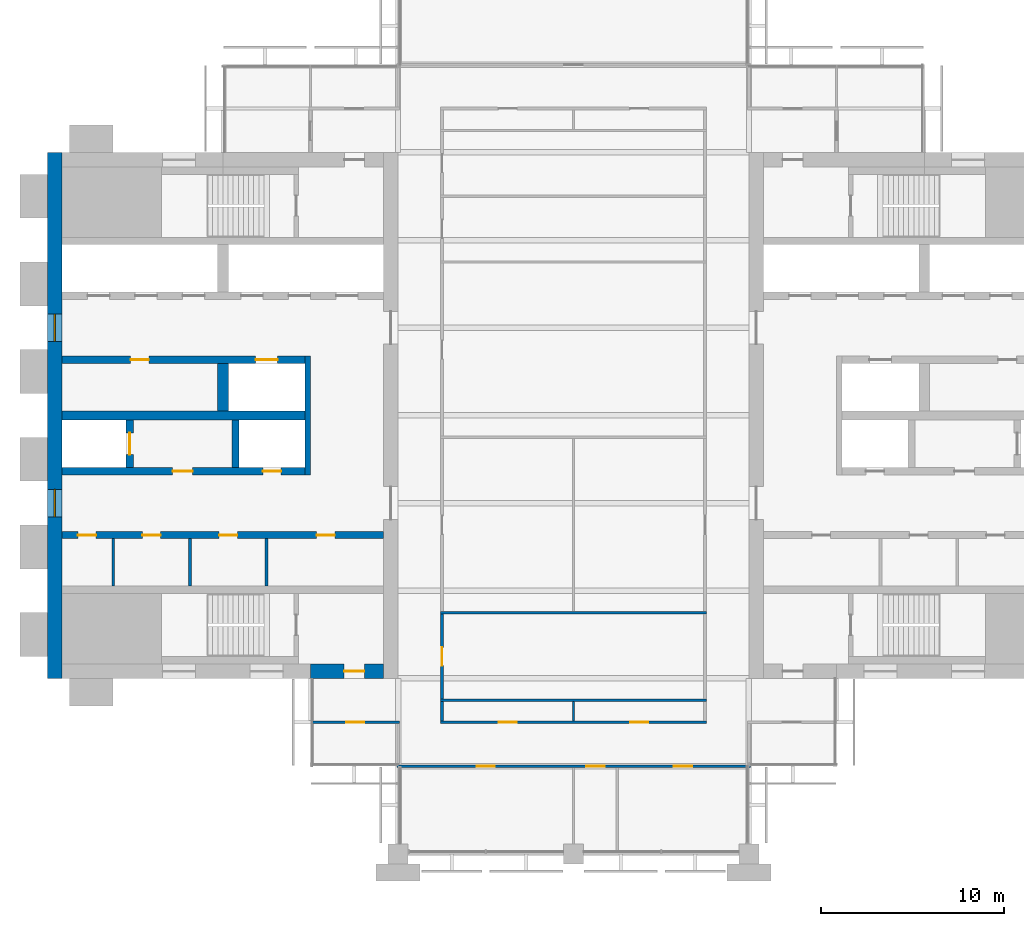
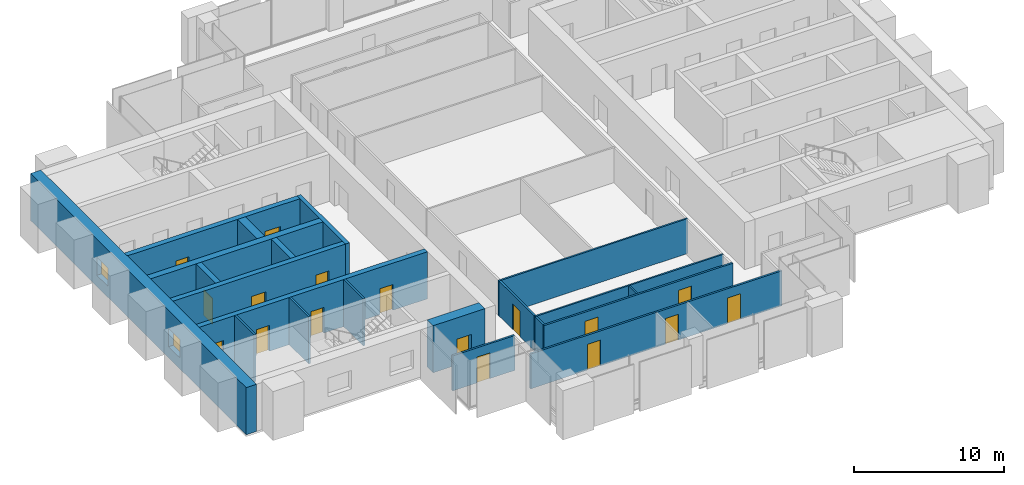
# One storey, part 8 of 13: 21 walls, 17 doors, 2 windows, 19 openings.
"""IFC4 building model written with IfcOpenShell, lengths in metres."""

from ifc_helpers import new_model, si_unit, direction, frame, frame_2d, origin, place, context, subcontext, project, spatial, rectangle, extrude, material, layer, layer_set, type_object, element, fill, save


model = new_model("IFC4")

# Units and contexts
model_context = context("Model", 3, precision=1e-05, world=origin(), true_north=direction((0.0, 1.0)))
body_context = subcontext(model_context, "Body", "Model", "MODEL_VIEW")
ifc_project = project(units=[si_unit("LENGTHUNIT", "METRE"), si_unit("AREAUNIT", "SQUARE_METRE"), si_unit("VOLUMEUNIT", "CUBIC_METRE"), si_unit("PLANEANGLEUNIT", "RADIAN"), si_unit("MASSUNIT", "GRAM", prefix="KILO")], contexts=[model_context])

# Site, building, storey
site_placement = place(None, origin())
site = spatial("IfcSite", under=ifc_project, at=site_placement, CompositionType="ELEMENT")
building_placement = place(site_placement, origin())
building = spatial("IfcBuilding", under=site, at=building_placement, Name="Baori Bourse Tower", CompositionType="ELEMENT")
storey_placement = place(building_placement, frame((0.0, 0.0, 241.199951171875)))
storey = spatial("IfcBuildingStorey", under=building, at=storey_placement, Name="L53", CompositionType="ELEMENT", Elevation=241.199951171875)

# Walls
ifc_material_1 = material(Name="Blockwork partition", Category="masonry")
ifc_layer_1 = layer(ifc_material_1, 0.14990234375)
ifc_layer_set_1 = layer_set([ifc_layer_1], Name="Core partition 150")
wall_type_1 = type_object("IfcWallType", Name="Core partition 150", PredefinedType="PARTITIONING", material=ifc_layer_set_1)
for number, where, z_axis, x_axis, name in (
    (1, (3.60009765625, 14.64990234375, 0.0), (0.0, 0.0, 1.0), (0.0, 1.0, 0.0), "Partition wall W09"),
    (2, (7.800048828125, 14.64990234375, 0.0), (0.0, 0.0, 1.0), (0.0, 1.0, 0.0), "Partition wall W10"),
    (3, (12.0, 14.64990234375, 0.0), (0.0, 0.0, 1.0), (0.0, 1.0, 0.0), "Partition wall W11"),
):
    element("IfcWall", number, at=place(storey_placement, frame(where, z_axis=z_axis, x_axis=x_axis)), inside=storey, type_object=wall_type_1, Name=name, PredefinedType="PARTITIONING", context=body_context, shape_type="SweptSolid", body=[
        extrude(rectangle(XDim=2.60009765625, YDim=0.14990234375, at=frame_2d((1.300048828125, 0.0))), origin(), (0.0, 0.0, 1.0), 3.840087890625),
    ])

# Wall, openings, windows
ifc_material_2 = material(Name="Concrete f'c 50 MPa", Category="concrete")
ifc_layer_2 = layer(ifc_material_2, 0.800048828125)
ifc_layer_set_2 = layer_set([ifc_layer_2], Name="Core wall 800 f'c 50")
wall_type_2 = type_object("IfcWallType", Name="Core wall 800 f'c 50", PredefinedType="SHEAR", material=ifc_layer_set_2)
wall_1_placement = place(storey_placement, frame((0.39990234375, 9.60009765625, 0.0), z_axis=(0.0, 0.0, 1.0), x_axis=(0.0, 1.0, 0.0)))
wall_1 = element("IfcWall", 4, at=wall_1_placement, inside=storey, type_object=wall_type_2, Name="Core wall W01", PredefinedType="SHEAR", context=body_context, shape_type="SweptSolid", body=[
    extrude(rectangle(XDim=28.7998046875, YDim=0.800048828125, at=frame_2d((14.39990234375, 0.0))), origin(), (0.0, 0.0, 1.0), 3.840087890625),
])
opening_1_placement = place(wall_1_placement, frame((8.85009765625, 0.0, 0.89990234375)))
opening_1 = element("IfcOpeningElement", 5, at=opening_1_placement, cuts=wall_1, Name="Opening L53-KW101", PredefinedType="OPENING", context=body_context, shape_type="SweptSolid", body=[
    extrude(rectangle(XDim=1.5, YDim=1.5, at=frame_2d((0.75, 0.75))), frame((0.0, 0.409912109375, 0.0), z_axis=(0.0, -1.0, 0.0), x_axis=(1.0, 0.0, 0.0)), (0.0, 0.0, 1.0), 0.820068359375),
])
opening_2_placement = place(wall_1_placement, frame((18.449951171875, 0.0, 0.89990234375)))
opening_2 = element("IfcOpeningElement", 6, at=opening_2_placement, cuts=wall_1, Name="Opening L53-KW102", PredefinedType="OPENING", context=body_context, shape_type="SweptSolid", body=[
    extrude(rectangle(XDim=1.5, YDim=1.5, at=frame_2d((0.75, 0.75))), frame((0.0, 0.409912109375, 0.0), z_axis=(0.0, -1.0, 0.0), x_axis=(1.0, 0.0, 0.0)), (0.0, 0.0, 1.0), 0.820068359375),
])
ifc_material_3 = material(Name="Pale anodised aluminium", Category="aluminium")
window_type = type_object("IfcWindowType", Name="Lobby window 1500 x 1500", PartitioningType="SINGLE_PANEL", PredefinedType="WINDOW", material=ifc_material_3)
window_1_placement = place(opening_1_placement, origin())
window_1 = element("IfcWindow", 7, at=window_1_placement, inside=storey, type_object=window_type, Name="Outer wall window W L53 1", OverallHeight=1.5, OverallWidth=1.5, PartitioningType="SINGLE_PANEL", PredefinedType="WINDOW", context=body_context, shape_type="SweptSolid", body=[
    extrude(rectangle(XDim=1.5, YDim=1.5, at=frame_2d((0.75, 0.75))), frame((0.0, 0.030029296875, 0.0), z_axis=(0.0, -1.0, 0.0), x_axis=(1.0, 0.0, 0.0)), (0.0, 0.0, 1.0), 0.06005859375),
])
fill(opening_1, window_1)
window_2_placement = place(opening_2_placement, origin())
window_2 = element("IfcWindow", 8, at=window_2_placement, inside=storey, type_object=window_type, Name="Outer wall window W L53 2", OverallHeight=1.5, OverallWidth=1.5, PartitioningType="SINGLE_PANEL", PredefinedType="WINDOW", context=body_context, shape_type="SweptSolid", body=[
    extrude(rectangle(XDim=1.5, YDim=1.5, at=frame_2d((0.75, 0.75))), frame((0.0, 0.030029296875, 0.0), z_axis=(0.0, -1.0, 0.0), x_axis=(1.0, 0.0, 0.0)), (0.0, 0.0, 1.0), 0.06005859375),
])
fill(opening_2, window_2)

# Wall, opening, door
wall_2_placement = place(storey_placement, frame((18.39990234375, 10.0, 0.0), z_axis=(0.0, 0.0, 1.0), x_axis=(-1.0, 0.0, 0.0)))
wall_2 = element("IfcWall", 9, at=wall_2_placement, inside=storey, type_object=wall_type_2, Name="Core wall W03", PredefinedType="SHEAR", context=body_context, shape_type="SweptSolid", body=[
    extrude(rectangle(XDim=4.0, YDim=0.800048828125, at=frame_2d((2.0, 0.0))), origin(), (0.0, 0.0, 1.0), 3.840087890625),
])
opening_3_placement = place(wall_2_placement, frame((1.050048828125, 0.0, 0.0)))
opening_3 = element("IfcOpeningElement", 10, at=opening_3_placement, cuts=wall_2, Name="Opening L53-D102", PredefinedType="OPENING", context=body_context, shape_type="SweptSolid", body=[
    extrude(rectangle(XDim=1.10009765625, YDim=2.10009765625, at=frame_2d((0.550048828125, 1.050048828125))), frame((0.0, 0.409912109375, 0.0), z_axis=(0.0, -1.0, 0.0), x_axis=(1.0, 0.0, 0.0)), (0.0, 0.0, 1.0), 0.820068359375),
])
ifc_material_4 = material(Name="Painted steel door", Category="steel")
door_type_1 = type_object("IfcDoorType", Name="Stair door 1100", OperationType="SINGLE_SWING_LEFT", PredefinedType="DOOR", material=ifc_material_4)
door_1_placement = place(opening_3_placement, origin())
door_1 = element("IfcDoor", 11, at=door_1_placement, inside=storey, type_object=door_type_1, Name="Stair vestibule door A W L53", OperationType="SINGLE_SWING_LEFT", OverallHeight=2.10009765625, OverallWidth=1.10009765625, PredefinedType="DOOR", context=body_context, shape_type="SweptSolid", body=[
    extrude(rectangle(XDim=1.10009765625, YDim=2.10009765625, at=frame_2d((0.550048828125, 1.050048828125))), frame((0.0, 0.02490234375, 0.0), z_axis=(0.0, -1.0, 0.0), x_axis=(1.0, 0.0, 0.0)), (0.0, 0.0, 1.0), 0.050048828125),
])
fill(opening_3, door_1)

# Wall, openings, doors
ifc_material_5 = material(Name="Gypsum board partition")
ifc_layer_3 = layer(ifc_material_5, 0.14990234375)
ifc_layer_set_3 = layer_set([ifc_layer_3], Name="Corridor partition 150")
wall_type_3 = type_object("IfcWallType", Name="Corridor partition 150", PredefinedType="PARTITIONING", material=ifc_layer_set_3)
wall_3_placement = place(storey_placement, frame((19.125, 4.800048828125, 0.0), z_axis=(0.0, 0.0, 1.0), x_axis=(1.0, 0.0, 0.0)))
wall_3 = element("IfcWall", 12, at=wall_3_placement, inside=storey, type_object=wall_type_3, Name="Partition", PredefinedType="PARTITIONING", context=body_context, shape_type="SweptSolid", body=[
    extrude(rectangle(XDim=19.35009765625, YDim=0.14990234375, at=frame_2d((9.675048828125, 0.0))), origin(), (0.0, 0.0, 1.0), 2.849365234375),
])
opening_4_placement = place(wall_3_placement, frame((4.375, 0.0, 0.0)))
opening_4 = element("IfcOpeningElement", 13, at=opening_4_placement, cuts=wall_3, Name="Opening L53-D01", PredefinedType="OPENING", context=body_context, shape_type="SweptSolid", body=[
    extrude(rectangle(XDim=1.0, YDim=2.10009765625, at=frame_2d((0.5, 1.050048828125))), frame((0.0, 0.0849609375, 0.0), z_axis=(0.0, -1.0, 0.0), x_axis=(1.0, 0.0, 0.0)), (0.0, 0.0, 1.0), 0.169921875),
])
opening_5_placement = place(wall_3_placement, frame((10.375, 0.0, 0.0)))
opening_5 = element("IfcOpeningElement", 14, at=opening_5_placement, cuts=wall_3, Name="Opening L53-D02", PredefinedType="OPENING", context=body_context, shape_type="SweptSolid", body=[
    extrude(rectangle(XDim=1.0, YDim=2.10009765625, at=frame_2d((0.5, 1.050048828125))), frame((0.0, 0.0849609375, 0.0), z_axis=(0.0, -1.0, 0.0), x_axis=(1.0, 0.0, 0.0)), (0.0, 0.0, 1.0), 0.169921875),
])
opening_6_placement = place(wall_3_placement, frame((15.175048828125, 0.0, 0.0)))
opening_6 = element("IfcOpeningElement", 15, at=opening_6_placement, cuts=wall_3, Name="Opening L53-D03", PredefinedType="OPENING", context=body_context, shape_type="SweptSolid", body=[
    extrude(rectangle(XDim=1.0, YDim=2.10009765625, at=frame_2d((0.5, 1.050048828125))), frame((0.0, 0.0849609375, 0.0), z_axis=(0.0, -1.0, 0.0), x_axis=(1.0, 0.0, 0.0)), (0.0, 0.0, 1.0), 0.169921875),
])
ifc_material_6 = material(Name="Timber door leaf", Category="wood")
door_type_2 = type_object("IfcDoorType", Name="Door 1000 x 2100", OperationType="SINGLE_SWING_LEFT", PredefinedType="DOOR", material=ifc_material_6)
door_2_placement = place(opening_4_placement, origin())
door_2 = element("IfcDoor", 16, at=door_2_placement, inside=storey, type_object=door_type_2, Name="Door", OperationType="SINGLE_SWING_LEFT", OverallHeight=2.10009765625, OverallWidth=1.0, PredefinedType="DOOR", context=body_context, shape_type="SweptSolid", body=[
    extrude(rectangle(XDim=1.0, YDim=2.10009765625, at=frame_2d((0.5, 1.050048828125))), frame((0.0, 0.02490234375, 0.0), z_axis=(0.0, -1.0, 0.0), x_axis=(1.0, 0.0, 0.0)), (0.0, 0.0, 1.0), 0.050048828125),
])
fill(opening_4, door_2)
door_3_placement = place(opening_5_placement, origin())
door_3 = element("IfcDoor", 17, at=door_3_placement, inside=storey, type_object=door_type_2, Name="Door", OperationType="SINGLE_SWING_RIGHT", OverallHeight=2.10009765625, OverallWidth=1.0, PredefinedType="DOOR", context=body_context, shape_type="SweptSolid", body=[
    extrude(rectangle(XDim=1.0, YDim=2.10009765625, at=frame_2d((0.5, 1.050048828125))), frame((0.0, 0.02490234375, 0.0), z_axis=(0.0, -1.0, 0.0), x_axis=(1.0, 0.0, 0.0)), (0.0, 0.0, 1.0), 0.050048828125),
])
fill(opening_5, door_3)
door_4_placement = place(opening_6_placement, origin())
door_4 = element("IfcDoor", 18, at=door_4_placement, inside=storey, type_object=door_type_2, Name="Door", OperationType="SINGLE_SWING_RIGHT", OverallHeight=2.10009765625, OverallWidth=1.0, PredefinedType="DOOR", context=body_context, shape_type="SweptSolid", body=[
    extrude(rectangle(XDim=1.0, YDim=2.10009765625, at=frame_2d((0.5, 1.050048828125))), frame((0.0, 0.02490234375, 0.0), z_axis=(0.0, -1.0, 0.0), x_axis=(1.0, 0.0, 0.0)), (0.0, 0.0, 1.0), 0.050048828125),
])
fill(opening_6, door_4)

# Wall, opening, door
wall_4_placement = place(storey_placement, frame((14.5, 7.199951171875, 0.0), z_axis=(0.0, 0.0, 1.0), x_axis=(1.0, 0.0, 0.0)))
wall_4 = element("IfcWall", 19, at=wall_4_placement, inside=storey, type_object=wall_type_3, Name="Partition", PredefinedType="PARTITIONING", context=body_context, shape_type="SweptSolid", body=[
    extrude(rectangle(XDim=4.77490234375, YDim=0.14990234375, at=frame_2d((2.387451171875, 0.0))), origin(), (0.0, 0.0, 1.0), 2.849365234375),
])
opening_7_placement = place(wall_4_placement, frame((1.85009765625, 0.0, 0.0)))
opening_7 = element("IfcOpeningElement", 20, at=opening_7_placement, cuts=wall_4, Name="Opening L53-D04", PredefinedType="OPENING", context=body_context, shape_type="SweptSolid", body=[
    extrude(rectangle(XDim=1.0, YDim=2.10009765625, at=frame_2d((0.5, 1.050048828125))), frame((0.0, 0.0849609375, 0.0), z_axis=(0.0, -1.0, 0.0), x_axis=(1.0, 0.0, 0.0)), (0.0, 0.0, 1.0), 0.169921875),
])
door_5_placement = place(opening_7_placement, origin())
door_5 = element("IfcDoor", 21, at=door_5_placement, inside=storey, type_object=door_type_2, Name="Door", OperationType="SINGLE_SWING_LEFT", OverallHeight=2.10009765625, OverallWidth=1.0, PredefinedType="DOOR", context=body_context, shape_type="SweptSolid", body=[
    extrude(rectangle(XDim=1.0, YDim=2.10009765625, at=frame_2d((0.5, 1.050048828125))), frame((0.0, 0.02490234375, 0.0), z_axis=(0.0, -1.0, 0.0), x_axis=(1.0, 0.0, 0.0)), (0.0, 0.0, 1.0), 0.050048828125),
])
fill(opening_7, door_5)

# Wall, openings, doors
wall_5_placement = place(storey_placement, frame((21.52490234375, 7.199951171875, 0.0), z_axis=(0.0, 0.0, 1.0), x_axis=(1.0, 0.0, 0.0)))
wall_5 = element("IfcWall", 22, at=wall_5_placement, inside=storey, type_object=wall_type_3, Name="Partition", PredefinedType="PARTITIONING", context=body_context, shape_type="SweptSolid", body=[
    extrude(rectangle(XDim=14.550048828125, YDim=0.14990234375, at=frame_2d((7.27490234375, 0.0))), origin(), (0.0, 0.0, 1.0), 2.849365234375),
])
opening_8_placement = place(wall_5_placement, frame((3.175048828125, 0.0, 0.0)))
opening_8 = element("IfcOpeningElement", 23, at=opening_8_placement, cuts=wall_5, Name="Opening L53-D05", PredefinedType="OPENING", context=body_context, shape_type="SweptSolid", body=[
    extrude(rectangle(XDim=1.0, YDim=2.10009765625, at=frame_2d((0.5, 1.050048828125))), frame((0.0, 0.0849609375, 0.0), z_axis=(0.0, -1.0, 0.0), x_axis=(1.0, 0.0, 0.0)), (0.0, 0.0, 1.0), 0.169921875),
])
opening_9_placement = place(wall_5_placement, frame((10.375, 0.0, 0.0)))
opening_9 = element("IfcOpeningElement", 24, at=opening_9_placement, cuts=wall_5, Name="Opening L53-D06", PredefinedType="OPENING", context=body_context, shape_type="SweptSolid", body=[
    extrude(rectangle(XDim=1.0, YDim=2.10009765625, at=frame_2d((0.5, 1.050048828125))), frame((0.0, 0.0849609375, 0.0), z_axis=(0.0, -1.0, 0.0), x_axis=(1.0, 0.0, 0.0)), (0.0, 0.0, 1.0), 0.169921875),
])
door_6_placement = place(opening_8_placement, origin())
door_6 = element("IfcDoor", 25, at=door_6_placement, inside=storey, type_object=door_type_2, Name="Door", OperationType="SINGLE_SWING_RIGHT", OverallHeight=2.10009765625, OverallWidth=1.0, PredefinedType="DOOR", context=body_context, shape_type="SweptSolid", body=[
    extrude(rectangle(XDim=1.0, YDim=2.10009765625, at=frame_2d((0.5, 1.050048828125))), frame((0.0, 0.02490234375, 0.0), z_axis=(0.0, -1.0, 0.0), x_axis=(1.0, 0.0, 0.0)), (0.0, 0.0, 1.0), 0.050048828125),
])
fill(opening_8, door_6)
door_7_placement = place(opening_9_placement, origin())
door_7 = element("IfcDoor", 26, at=door_7_placement, inside=storey, type_object=door_type_2, Name="Door", OperationType="SINGLE_SWING_LEFT", OverallHeight=2.10009765625, OverallWidth=1.0, PredefinedType="DOOR", context=body_context, shape_type="SweptSolid", body=[
    extrude(rectangle(XDim=1.0, YDim=2.10009765625, at=frame_2d((0.5, 1.050048828125))), frame((0.0, 0.02490234375, 0.0), z_axis=(0.0, -1.0, 0.0), x_axis=(1.0, 0.0, 0.0)), (0.0, 0.0, 1.0), 0.050048828125),
])
fill(opening_9, door_7)

# Wall
wall_6_placement = place(storey_placement, frame((21.60009765625, 7.27490234375, 0.0), z_axis=(0.0, 0.0, 1.0), x_axis=(0.0, 1.0, 0.0)))
element("IfcWall", 27, at=wall_6_placement, inside=storey, type_object=wall_type_3, Name="Partition", PredefinedType="PARTITIONING", context=body_context, shape_type="SweptSolid", body=[
    extrude(rectangle(XDim=1.0625, YDim=0.14990234375, at=frame_2d((0.53125, 0.0))), origin(), (0.0, 0.0, 1.0), 2.849365234375),
])

# Wall, opening, door
wall_7_placement = place(storey_placement, frame((21.60009765625, 8.46240234375, 0.0), z_axis=(0.0, 0.0, 1.0), x_axis=(0.0, 1.0, 0.0)))
wall_7 = element("IfcWall", 28, at=wall_7_placement, inside=storey, type_object=wall_type_3, Name="Partition", PredefinedType="PARTITIONING", context=body_context, shape_type="SweptSolid", body=[
    extrude(rectangle(XDim=4.675048828125, YDim=0.14990234375, at=frame_2d((2.33740234375, 0.0))), origin(), (0.0, 0.0, 1.0), 2.849365234375),
])
opening_10_placement = place(wall_7_placement, frame((1.83740234375, 0.0, 0.0)))
opening_10 = element("IfcOpeningElement", 29, at=opening_10_placement, cuts=wall_7, Name="Opening L53-D14", PredefinedType="OPENING", context=body_context, shape_type="SweptSolid", body=[
    extrude(rectangle(XDim=1.0, YDim=2.10009765625, at=frame_2d((0.5, 1.050048828125))), frame((0.0, 0.0849609375, 0.0), z_axis=(0.0, -1.0, 0.0), x_axis=(1.0, 0.0, 0.0)), (0.0, 0.0, 1.0), 0.169921875),
])
door_8_placement = place(opening_10_placement, origin())
door_8 = element("IfcDoor", 30, at=door_8_placement, inside=storey, type_object=door_type_2, Name="Door", OperationType="SINGLE_SWING_RIGHT", OverallHeight=2.10009765625, OverallWidth=1.0, PredefinedType="DOOR", context=body_context, shape_type="SweptSolid", body=[
    extrude(rectangle(XDim=1.0, YDim=2.10009765625, at=frame_2d((0.5, 1.050048828125))), frame((0.0, 0.02490234375, 0.0), z_axis=(0.0, -1.0, 0.0), x_axis=(1.0, 0.0, 0.0)), (0.0, 0.0, 1.0), 0.050048828125),
])
fill(opening_10, door_8)

# Walls
ifc_material_7 = material(Name="Gypsum board partition")
ifc_layer_4 = layer(ifc_material_7, 0.125)
ifc_layer_set_4 = layer_set([ifc_layer_4], Name="Partition 125")
wall_type_4 = type_object("IfcWallType", Name="Partition 125", PredefinedType="PARTITIONING", material=ifc_layer_set_4)
for number, where, z_axis, x_axis, name in (
    (31, (21.52490234375, 8.39990234375, 0.0), (0.0, 0.0, 1.0), (1.0, 0.0, 0.0), "Partition"),
    (32, (21.52490234375, 13.199951171875, 0.0), (0.0, 0.0, 1.0), (1.0, 0.0, 0.0), "Partition"),
):
    element("IfcWall", number, at=place(storey_placement, frame(where, z_axis=z_axis, x_axis=x_axis)), inside=storey, type_object=wall_type_4, Name=name, PredefinedType="PARTITIONING", context=body_context, shape_type="SweptSolid", body=[
        extrude(rectangle(XDim=14.550048828125, YDim=0.125, at=frame_2d((7.27490234375, 0.0))), origin(), (0.0, 0.0, 1.0), 2.849365234375),
    ])
wall_8_placement = place(storey_placement, frame((28.800048828125, 7.27490234375, 0.0), z_axis=(0.0, 0.0, 1.0), x_axis=(0.0, 1.0, 0.0)))
element("IfcWall", 33, at=wall_8_placement, inside=storey, type_object=wall_type_4, Name="Partition", PredefinedType="PARTITIONING", context=body_context, shape_type="SweptSolid", body=[
    extrude(rectangle(XDim=1.0625, YDim=0.125, at=frame_2d((0.53125, 0.0))), origin(), (0.0, 0.0, 1.0), 2.849365234375),
])
ifc_material_8 = material(Name="Concrete f'c 50 MPa", Category="concrete")
ifc_layer_5 = layer(ifc_material_8, 0.300048828125)
ifc_layer_set_5 = layer_set([ifc_layer_5], Name="Shaft wall 300 f'c 50")
wall_type_5 = type_object("IfcWallType", Name="Shaft wall 300 f'c 50", PredefinedType="SHEAR", material=ifc_layer_set_5)
wall_9_placement = place(storey_placement, frame((14.25, 20.75, 0.0), z_axis=(0.0, 0.0, 1.0), x_axis=(0.0, 1.0, 0.0)))
element("IfcWall", 34, at=wall_9_placement, inside=storey, type_object=wall_type_5, Name="Core wall W14", PredefinedType="SHEAR", context=body_context, shape_type="SweptSolid", body=[
    extrude(rectangle(XDim=6.5, YDim=0.300048828125, at=frame_2d((3.25, 0.0))), origin(), (0.0, 0.0, 1.0), 3.840087890625),
])

# Wall, openings, doors
ifc_material_9 = material(Name="Concrete f'c 50 MPa", Category="concrete")
ifc_layer_6 = layer(ifc_material_9, 0.39990234375)
ifc_layer_set_6 = layer_set([ifc_layer_6], Name="Shaft wall 400 f'c 50")
wall_type_6 = type_object("IfcWallType", Name="Shaft wall 400 f'c 50", PredefinedType="SHEAR", material=ifc_layer_set_6)
wall_10_placement = place(storey_placement, frame((0.800048828125, 17.449951171875, 0.0), z_axis=(0.0, 0.0, 1.0), x_axis=(1.0, 0.0, 0.0)))
wall_10 = element("IfcWall", 35, at=wall_10_placement, inside=storey, type_object=wall_type_6, Name="Core wall W12", PredefinedType="SHEAR", context=body_context, shape_type="SweptSolid", body=[
    extrude(rectangle(XDim=17.599853515625, YDim=0.39990234375, at=frame_2d((8.7998046875, 0.0))), origin(), (0.0, 0.0, 1.0), 3.840087890625),
])
opening_11_placement = place(wall_10_placement, frame((0.862548828125, 0.0, 0.0)))
opening_11 = element("IfcOpeningElement", 36, at=opening_11_placement, cuts=wall_10, Name="Opening L53-D109", PredefinedType="OPENING", context=body_context, shape_type="SweptSolid", body=[
    extrude(rectangle(XDim=1.0, YDim=2.10009765625, at=frame_2d((0.5, 1.050048828125))), frame((0.0, 0.2099609375, 0.0), z_axis=(0.0, -1.0, 0.0), x_axis=(1.0, 0.0, 0.0)), (0.0, 0.0, 1.0), 0.419921875),
])
opening_12_placement = place(wall_10_placement, frame((4.39990234375, 0.0, 0.0)))
opening_12 = element("IfcOpeningElement", 37, at=opening_12_placement, cuts=wall_10, Name="Opening L53-D110", PredefinedType="OPENING", context=body_context, shape_type="SweptSolid", body=[
    extrude(rectangle(XDim=1.0, YDim=2.10009765625, at=frame_2d((0.5, 1.050048828125))), frame((0.0, 0.2099609375, 0.0), z_axis=(0.0, -1.0, 0.0), x_axis=(1.0, 0.0, 0.0)), (0.0, 0.0, 1.0), 0.419921875),
])
opening_13_placement = place(wall_10_placement, frame((8.60009765625, 0.0, 0.0)))
opening_13 = element("IfcOpeningElement", 38, at=opening_13_placement, cuts=wall_10, Name="Opening L53-D111", PredefinedType="OPENING", context=body_context, shape_type="SweptSolid", body=[
    extrude(rectangle(XDim=1.0, YDim=2.10009765625, at=frame_2d((0.5, 1.050048828125))), frame((0.0, 0.2099609375, 0.0), z_axis=(0.0, -1.0, 0.0), x_axis=(1.0, 0.0, 0.0)), (0.0, 0.0, 1.0), 0.419921875),
])
opening_14_placement = place(wall_10_placement, frame((13.9375, 0.0, 0.0)))
opening_14 = element("IfcOpeningElement", 39, at=opening_14_placement, cuts=wall_10, Name="Opening L53-D112", PredefinedType="OPENING", context=body_context, shape_type="SweptSolid", body=[
    extrude(rectangle(XDim=1.0, YDim=2.10009765625, at=frame_2d((0.5, 1.050048828125))), frame((0.0, 0.2099609375, 0.0), z_axis=(0.0, -1.0, 0.0), x_axis=(1.0, 0.0, 0.0)), (0.0, 0.0, 1.0), 0.419921875),
])
ifc_material_10 = material(Name="Painted steel door", Category="steel")
door_type_3 = type_object("IfcDoorType", Name="Core door 1000", OperationType="SINGLE_SWING_LEFT", PredefinedType="DOOR", material=ifc_material_10)
door_9_placement = place(opening_12_placement, origin())
door_9 = element("IfcDoor", 40, at=door_9_placement, inside=storey, type_object=door_type_3, Name="Women'S Wc door W L53", OperationType="SINGLE_SWING_LEFT", OverallHeight=2.10009765625, OverallWidth=1.0, PredefinedType="DOOR", context=body_context, shape_type="SweptSolid", body=[
    extrude(rectangle(XDim=1.0, YDim=2.10009765625, at=frame_2d((0.5, 1.050048828125))), frame((0.0, 0.02490234375, 0.0), z_axis=(0.0, -1.0, 0.0), x_axis=(1.0, 0.0, 0.0)), (0.0, 0.0, 1.0), 0.050048828125),
])
fill(opening_12, door_9)
door_10_placement = place(opening_13_placement, origin())
door_10 = element("IfcDoor", 41, at=door_10_placement, inside=storey, type_object=door_type_3, Name="Accessible Wc door W L53", OperationType="SINGLE_SWING_LEFT", OverallHeight=2.10009765625, OverallWidth=1.0, PredefinedType="DOOR", context=body_context, shape_type="SweptSolid", body=[
    extrude(rectangle(XDim=1.0, YDim=2.10009765625, at=frame_2d((0.5, 1.050048828125))), frame((0.0, 0.02490234375, 0.0), z_axis=(0.0, -1.0, 0.0), x_axis=(1.0, 0.0, 0.0)), (0.0, 0.0, 1.0), 0.050048828125),
])
fill(opening_13, door_10)
door_11_placement = place(opening_14_placement, origin())
door_11 = element("IfcDoor", 42, at=door_11_placement, inside=storey, type_object=door_type_3, Name="Men'S Wc door W L53", OperationType="SINGLE_SWING_LEFT", OverallHeight=2.10009765625, OverallWidth=1.0, PredefinedType="DOOR", context=body_context, shape_type="SweptSolid", body=[
    extrude(rectangle(XDim=1.0, YDim=2.10009765625, at=frame_2d((0.5, 1.050048828125))), frame((0.0, 0.02490234375, 0.0), z_axis=(0.0, -1.0, 0.0), x_axis=(1.0, 0.0, 0.0)), (0.0, 0.0, 1.0), 0.050048828125),
])
fill(opening_14, door_11)
ifc_material_11 = material(Name="Painted steel door", Category="steel")
door_type_4 = type_object("IfcDoorType", Name="Plant room door 1000", OperationType="SINGLE_SWING_LEFT", PredefinedType="DOOR", material=ifc_material_11)
door_12_placement = place(opening_11_placement, origin())
door_12 = element("IfcDoor", 43, at=door_12_placement, inside=storey, type_object=door_type_4, Name="Communications Room door W L53", OperationType="SINGLE_SWING_LEFT", OverallHeight=2.10009765625, OverallWidth=1.0, PredefinedType="DOOR", context=body_context, shape_type="SweptSolid", body=[
    extrude(rectangle(XDim=1.0, YDim=2.10009765625, at=frame_2d((0.5, 1.050048828125))), frame((0.0, 0.02490234375, 0.0), z_axis=(0.0, -1.0, 0.0), x_axis=(1.0, 0.0, 0.0)), (0.0, 0.0, 1.0), 0.050048828125),
])
fill(opening_11, door_12)

wall_11_placement = place(storey_placement, frame((0.800048828125, 20.949951171875, 0.0), z_axis=(0.0, 0.0, 1.0), x_axis=(1.0, 0.0, 0.0)))
wall_11 = element("IfcWall", 44, at=wall_11_placement, inside=storey, type_object=wall_type_6, Name="Core wall W13", PredefinedType="SHEAR", context=body_context, shape_type="SweptSolid", body=[
    extrude(rectangle(XDim=13.300048828125, YDim=0.39990234375, at=frame_2d((6.64990234375, 0.0))), origin(), (0.0, 0.0, 1.0), 3.840087890625),
])
opening_15_placement = place(wall_11_placement, frame((6.050048828125, 0.0, 0.0)))
opening_15 = element("IfcOpeningElement", 45, at=opening_15_placement, cuts=wall_11, Name="Opening L53-D105", PredefinedType="OPENING", context=body_context, shape_type="SweptSolid", body=[
    extrude(rectangle(XDim=1.10009765625, YDim=2.10009765625, at=frame_2d((0.550048828125, 1.050048828125))), frame((0.0, 0.2099609375, 0.0), z_axis=(0.0, -1.0, 0.0), x_axis=(1.0, 0.0, 0.0)), (0.0, 0.0, 1.0), 0.419921875),
])
opening_16_placement = place(wall_11_placement, frame((11.0, 0.0, 0.0)))
opening_16 = element("IfcOpeningElement", 46, at=opening_16_placement, cuts=wall_11, Name="Opening L53-D106", PredefinedType="OPENING", context=body_context, shape_type="SweptSolid", body=[
    extrude(rectangle(XDim=1.0, YDim=2.10009765625, at=frame_2d((0.5, 1.050048828125))), frame((0.0, 0.2099609375, 0.0), z_axis=(0.0, -1.0, 0.0), x_axis=(1.0, 0.0, 0.0)), (0.0, 0.0, 1.0), 0.419921875),
])
ifc_material_12 = material(Name="Painted steel door", Category="steel")
door_type_5 = type_object("IfcDoorType", Name="Lobby door 1100", OperationType="SINGLE_SWING_LEFT", PredefinedType="DOOR", material=ifc_material_12)
door_13_placement = place(opening_15_placement, origin())
door_13 = element("IfcDoor", 47, at=door_13_placement, inside=storey, type_object=door_type_5, Name="Firefighting lobby door W L53", OperationType="SINGLE_SWING_LEFT", OverallHeight=2.10009765625, OverallWidth=1.10009765625, PredefinedType="DOOR", context=body_context, shape_type="SweptSolid", body=[
    extrude(rectangle(XDim=1.10009765625, YDim=2.10009765625, at=frame_2d((0.550048828125, 1.050048828125))), frame((0.0, 0.02490234375, 0.0), z_axis=(0.0, -1.0, 0.0), x_axis=(1.0, 0.0, 0.0)), (0.0, 0.0, 1.0), 0.050048828125),
])
fill(opening_15, door_13)
ifc_material_13 = material(Name="Painted steel door", Category="steel")
door_type_6 = type_object("IfcDoorType", Name="Shaft door 1000", OperationType="SINGLE_SWING_LEFT", PredefinedType="DOOR", material=ifc_material_13)
door_14_placement = place(opening_16_placement, origin())
door_14 = element("IfcDoor", 48, at=door_14_placement, inside=storey, type_object=door_type_6, Name="Riser room door W L53", OperationType="SINGLE_SWING_LEFT", OverallHeight=2.10009765625, OverallWidth=1.0, PredefinedType="DOOR", context=body_context, shape_type="SweptSolid", body=[
    extrude(rectangle(XDim=1.0, YDim=2.10009765625, at=frame_2d((0.5, 1.050048828125))), frame((0.0, 0.02490234375, 0.0), z_axis=(0.0, -1.0, 0.0), x_axis=(1.0, 0.0, 0.0)), (0.0, 0.0, 1.0), 0.050048828125),
])
fill(opening_16, door_14)

# Wall, opening, door
wall_12_placement = place(storey_placement, frame((4.5, 21.14990234375, 0.0), z_axis=(0.0, 0.0, 1.0), x_axis=(0.0, 1.0, 0.0)))
wall_12 = element("IfcWall", 49, at=wall_12_placement, inside=storey, type_object=wall_type_6, Name="Core wall W15", PredefinedType="SHEAR", context=body_context, shape_type="SweptSolid", body=[
    extrude(rectangle(XDim=2.60009765625, YDim=0.39990234375, at=frame_2d((1.300048828125, 0.0))), origin(), (0.0, 0.0, 1.0), 3.840087890625),
])
opening_17_placement = place(wall_12_placement, frame((0.699951171875, 0.0, 0.0)))
opening_17 = element("IfcOpeningElement", 50, at=opening_17_placement, cuts=wall_12, Name="Opening L53-D121", PredefinedType="OPENING", context=body_context, shape_type="SweptSolid", body=[
    extrude(rectangle(XDim=1.199951171875, YDim=2.10009765625, at=frame_2d((0.60009765625, 1.050048828125))), frame((0.0, 0.2099609375, 0.0), z_axis=(0.0, -1.0, 0.0), x_axis=(1.0, 0.0, 0.0)), (0.0, 0.0, 1.0), 0.419921875),
])
ifc_material_14 = material(Name="Stainless steel door", Category="steel")
door_type_7 = type_object("IfcDoorType", Name="Lift landing door", OperationType="DOUBLE_DOOR_SLIDING", PredefinedType="DOOR", material=ifc_material_14)
door_15_placement = place(opening_17_placement, origin())
door_15 = element("IfcDoor", 51, at=door_15_placement, inside=storey, type_object=door_type_7, Name="Lift landing door FF1 W L53", OperationType="DOUBLE_DOOR_SLIDING", OverallHeight=2.10009765625, OverallWidth=1.199951171875, PredefinedType="DOOR", context=body_context, shape_type="SweptSolid", body=[
    extrude(rectangle(XDim=1.199951171875, YDim=2.10009765625, at=frame_2d((0.60009765625, 1.050048828125))), frame((0.0, 0.02490234375, 0.0), z_axis=(0.0, -1.0, 0.0), x_axis=(1.0, 0.0, 0.0)), (0.0, 0.0, 1.0), 0.050048828125),
])
fill(opening_17, door_15)

# Wall
wall_13_placement = place(storey_placement, frame((10.300048828125, 21.14990234375, 0.0), z_axis=(0.0, 0.0, 1.0), x_axis=(0.0, 1.0, 0.0)))
element("IfcWall", 52, at=wall_13_placement, inside=storey, type_object=wall_type_6, Name="Core wall W16", PredefinedType="SHEAR", context=body_context, shape_type="SweptSolid", body=[
    extrude(rectangle(XDim=2.60009765625, YDim=0.39990234375, at=frame_2d((1.300048828125, 0.0))), origin(), (0.0, 0.0, 1.0), 3.840087890625),
])

# Wall, openings, doors
wall_14_placement = place(storey_placement, frame((0.800048828125, 27.050048828125, 0.0), z_axis=(0.0, 0.0, 1.0), x_axis=(1.0, 0.0, 0.0)))
wall_14 = element("IfcWall", 53, at=wall_14_placement, inside=storey, type_object=wall_type_6, Name="Core wall W19", PredefinedType="SHEAR", context=body_context, shape_type="SweptSolid", body=[
    extrude(rectangle(XDim=13.300048828125, YDim=0.39990234375, at=frame_2d((6.64990234375, 0.0))), origin(), (0.0, 0.0, 1.0), 3.840087890625),
])
opening_18_placement = place(wall_14_placement, frame((3.75, 0.0, 0.0)))
opening_18 = element("IfcOpeningElement", 54, at=opening_18_placement, cuts=wall_14, Name="Opening L53-D113", PredefinedType="OPENING", context=body_context, shape_type="SweptSolid", body=[
    extrude(rectangle(XDim=1.0, YDim=2.10009765625, at=frame_2d((0.5, 1.050048828125))), frame((0.0, 0.2099609375, 0.0), z_axis=(0.0, -1.0, 0.0), x_axis=(1.0, 0.0, 0.0)), (0.0, 0.0, 1.0), 0.419921875),
])
opening_19_placement = place(wall_14_placement, frame((10.60009765625, 0.0, 0.0)))
opening_19 = element("IfcOpeningElement", 55, at=opening_19_placement, cuts=wall_14, Name="Opening L53-D120", PredefinedType="OPENING", context=body_context, shape_type="SweptSolid", body=[
    extrude(rectangle(XDim=1.199951171875, YDim=2.10009765625, at=frame_2d((0.60009765625, 1.050048828125))), frame((0.0, 0.2099609375, 0.0), z_axis=(0.0, -1.0, 0.0), x_axis=(1.0, 0.0, 0.0)), (0.0, 0.0, 1.0), 0.419921875),
])
door_16_placement = place(opening_18_placement, origin())
door_16 = element("IfcDoor", 56, at=door_16_placement, inside=storey, type_object=door_type_3, Name="Recycling Room door W L53", OperationType="SINGLE_SWING_LEFT", OverallHeight=2.10009765625, OverallWidth=1.0, PredefinedType="DOOR", context=body_context, shape_type="SweptSolid", body=[
    extrude(rectangle(XDim=1.0, YDim=2.10009765625, at=frame_2d((0.5, 1.050048828125))), frame((0.0, 0.02490234375, 0.0), z_axis=(0.0, -1.0, 0.0), x_axis=(1.0, 0.0, 0.0)), (0.0, 0.0, 1.0), 0.050048828125),
])
fill(opening_18, door_16)
door_17_placement = place(opening_19_placement, origin())
door_17 = element("IfcDoor", 57, at=door_17_placement, inside=storey, type_object=door_type_7, Name="Lift landing door SV1 W L53", OperationType="DOUBLE_DOOR_SLIDING", OverallHeight=2.10009765625, OverallWidth=1.199951171875, PredefinedType="DOOR", context=body_context, shape_type="SweptSolid", body=[
    extrude(rectangle(XDim=1.199951171875, YDim=2.10009765625, at=frame_2d((0.60009765625, 1.050048828125))), frame((0.0, 0.02490234375, 0.0), z_axis=(0.0, -1.0, 0.0), x_axis=(1.0, 0.0, 0.0)), (0.0, 0.0, 1.0), 0.050048828125),
])
fill(opening_19, door_17)

# Walls
ifc_material_15 = material(Name="Concrete f'c 50 MPa", Category="concrete")
ifc_layer_7 = layer(ifc_material_15, 0.5)
ifc_layer_set_7 = layer_set([ifc_layer_7], Name="Shaft wall 500 f'c 50")
wall_type_7 = type_object("IfcWallType", Name="Shaft wall 500 f'c 50", PredefinedType="SHEAR", material=ifc_layer_set_7)
wall_15_placement = place(storey_placement, frame((0.800048828125, 24.0, 0.0), z_axis=(0.0, 0.0, 1.0), x_axis=(1.0, 0.0, 0.0)))
element("IfcWall", 58, at=wall_15_placement, inside=storey, type_object=wall_type_7, Name="Core wall W17", PredefinedType="SHEAR", context=body_context, shape_type="SweptSolid", body=[
    extrude(rectangle(XDim=13.300048828125, YDim=0.5, at=frame_2d((6.64990234375, 0.0))), origin(), (0.0, 0.0, 1.0), 3.840087890625),
])
ifc_material_16 = material(Name="Concrete f'c 50 MPa", Category="concrete")
ifc_layer_8 = layer(ifc_material_16, 0.60009765625)
ifc_layer_set_8 = layer_set([ifc_layer_8], Name="Shaft wall 600 f'c 50")
wall_type_8 = type_object("IfcWallType", Name="Shaft wall 600 f'c 50", PredefinedType="SHEAR", material=ifc_layer_set_8)
wall_16_placement = place(storey_placement, frame((9.60009765625, 24.25, 0.0), z_axis=(0.0, 0.0, 1.0), x_axis=(0.0, 1.0, 0.0)))
element("IfcWall", 59, at=wall_16_placement, inside=storey, type_object=wall_type_8, Name="Core wall W18", PredefinedType="SHEAR", context=body_context, shape_type="SweptSolid", body=[
    extrude(rectangle(XDim=2.60009765625, YDim=0.60009765625, at=frame_2d((1.300048828125, 0.0))), origin(), (0.0, 0.0, 1.0), 3.840087890625),
])

save(model, "model.ifc")
